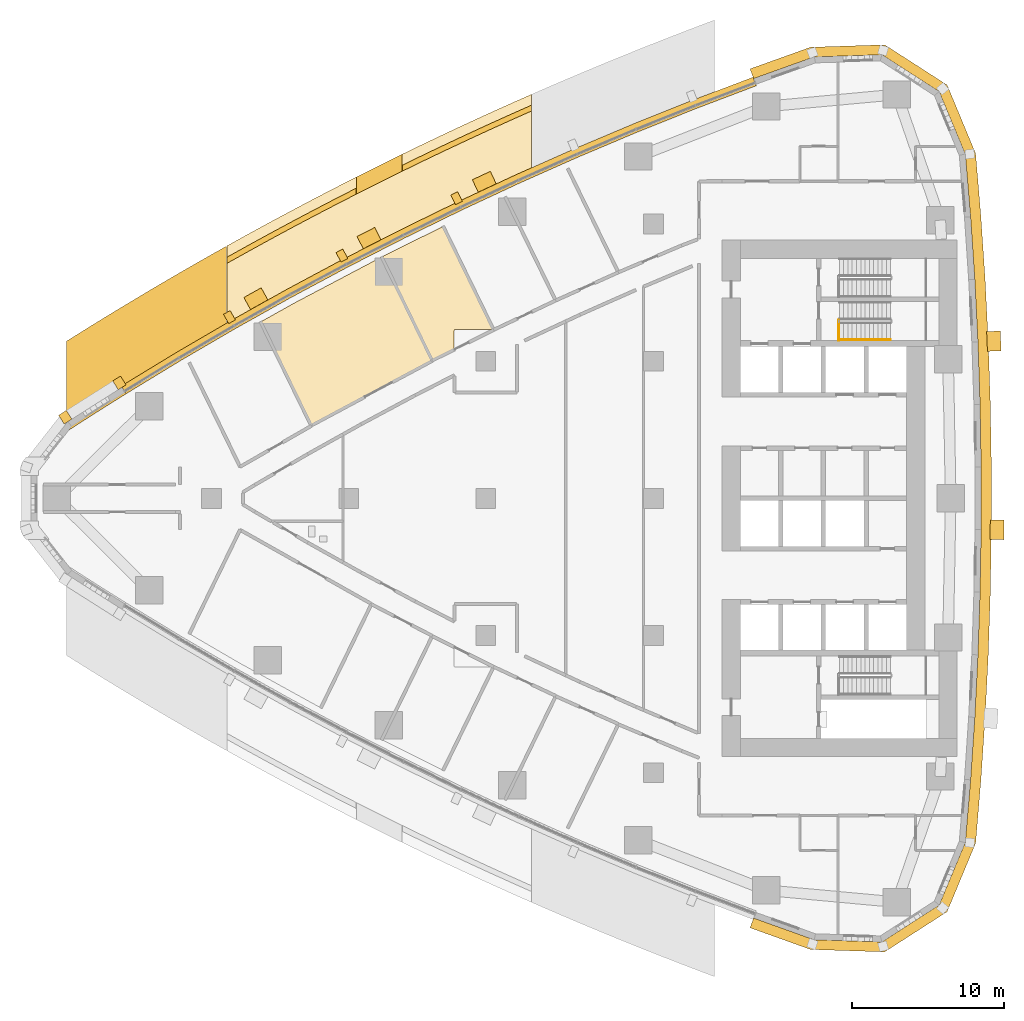
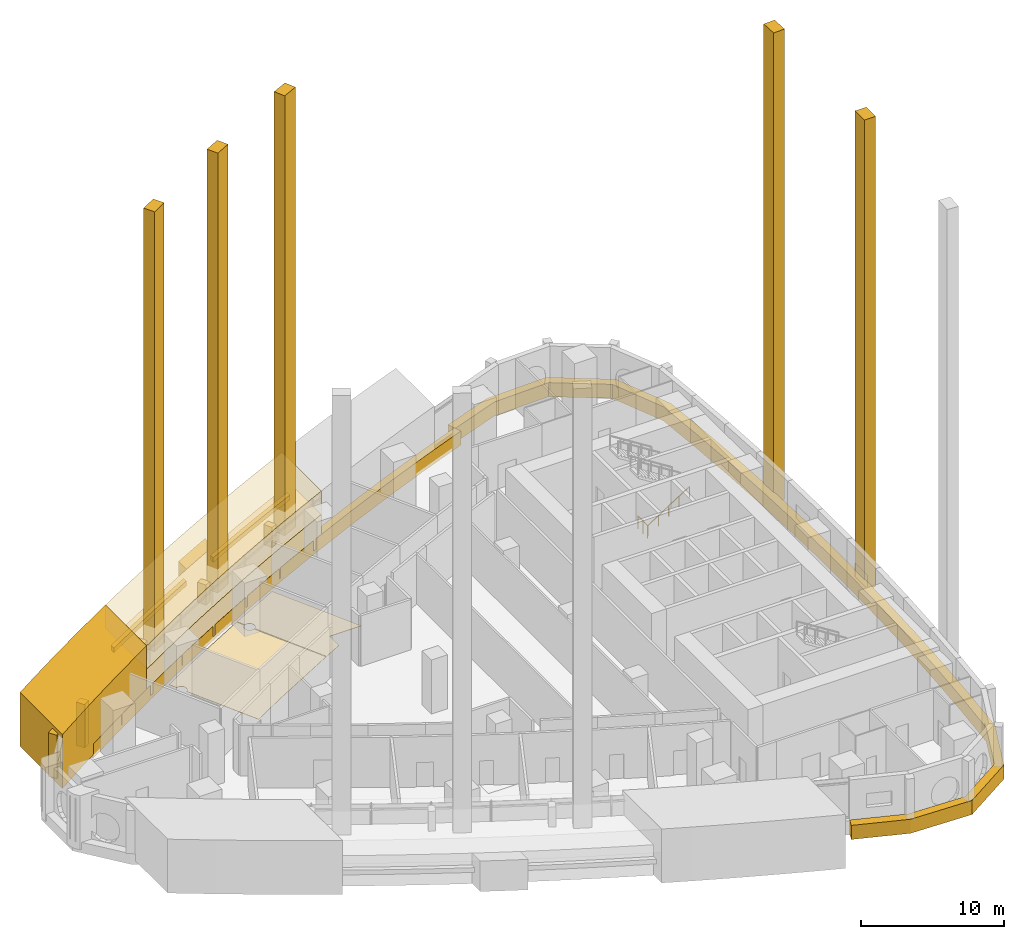
# One storey, part 17 of 20: 20 coverings, 2 railings.
"""IFC4 building model written with IfcOpenShell, lengths in metres."""

from ifc_helpers import new_model, si_unit, direction, frame, frame_2d, origin, origin_2d, place, context, subcontext, project, spatial, polyline, rectangle, circle, outline, extrude, material, layer, layer_set, type_object, element, save


model = new_model("IFC4")

# Units and contexts
model_context = context("Model", 3, precision=1e-05, world=origin(), true_north=direction((0.0, 1.0)))
body_context = subcontext(model_context, "Body", "Model", "MODEL_VIEW")
ifc_project = project(units=[si_unit("LENGTHUNIT", "METRE"), si_unit("AREAUNIT", "SQUARE_METRE"), si_unit("VOLUMEUNIT", "CUBIC_METRE"), si_unit("PLANEANGLEUNIT", "RADIAN"), si_unit("MASSUNIT", "GRAM", prefix="KILO")], contexts=[model_context])

# Site, building, storey
site_placement = place(None, origin())
site = spatial("IfcSite", under=ifc_project, at=site_placement, CompositionType="ELEMENT")
building_placement = place(site_placement, origin())
building = spatial("IfcBuilding", under=site, at=building_placement, Name="Ostrand Prow Hotel Tower", CompositionType="ELEMENT")
storey_placement = place(building_placement, frame((0.0, 0.0, 35.0)))
storey = spatial("IfcBuildingStorey", under=building, at=storey_placement, Name="L06", CompositionType="ELEMENT", Elevation=35.0)

# Coverings
ifc_material_1 = material(Name="Bronze anodised aluminium cladding", Category="aluminium")
ifc_layer_1 = layer(ifc_material_1, 0.60009765625)
ifc_layer_set_1 = layer_set([ifc_layer_1], Name="Bronze anodised aluminium cladding")
covering_type_1 = type_object("IfcCoveringType", Name="Bronze spandrel band 1200x600", PredefinedType="CLADDING", material=ifc_layer_set_1)
covering_1_placement = place(storey_placement, frame((0.0, 0.0, -0.300048828125)))
element("IfcCovering", 1, at=covering_1_placement, inside=storey, type_object=covering_type_1, Name="Spandrel band N1", PredefinedType="CLADDING", context=body_context, shape_type="SweptSolid", body=[
    extrude(outline(polyline([(51.5361328125, 27.6328125), (47.607666015625, 26.142578125), (43.70751953125, 24.580078125), (39.83642578125, 22.946044921875), (35.996337890625, 21.2412109375), (32.188232421875, 19.4658203125), (28.413330078125, 17.62060546875), (24.673095703125, 15.70654296875), (20.968994140625, 13.723876953125), (17.301513671875, 11.673095703125), (13.672607421875, 9.555419921875), (10.08349609375, 7.371337890625), (10.39990234375, 6.86181640625), (13.97998046875, 9.0400390625), (17.59912109375, 11.152099609375), (21.2568359375, 13.197509765625), (24.951416015625, 15.1748046875), (28.681884765625, 17.083984375), (32.44677734375, 18.92431640625), (36.244873046875, 20.695068359375), (40.074951171875, 22.3955078125), (43.935791015625, 24.025146484375), (47.82568359375, 25.58349609375), (51.743896484375, 27.070068359375), (51.5361328125, 27.6328125)])), origin(), (0.0, 0.0, 1.0), 1.199951171875),
])
covering_2_placement = place(storey_placement, frame((0.0, 0.0, -0.300048828125)))
element("IfcCovering", 2, at=covering_2_placement, inside=storey, type_object=covering_type_1, Name="Spandrel band back 1", PredefinedType="CLADDING", context=body_context, shape_type="SweptSolid", body=[
    extrude(outline(polyline([(51.335205078125, -28.177001953125), (55.300537109375, -29.5986328125), (60.16796875, -29.758056640625), (64.26318359375, -27.123046875), (66.13525390625, -22.627197265625), (66.48046875, -18.521728515625), (66.756591796875, -14.411376953125), (66.964111328125, -10.296630859375), (67.102294921875, -6.17919921875), (67.17138671875, -2.059814453125), (67.17138671875, 2.059814453125), (67.102294921875, 6.17919921875), (66.964111328125, 10.296630859375), (66.756591796875, 14.411376953125), (66.48046875, 18.521728515625), (66.13525390625, 22.627197265625), (64.26318359375, 27.123046875), (60.16796875, 29.758056640625), (55.300537109375, 29.5986328125), (51.335205078125, 28.177001953125), (51.57080078125, 27.5390625), (55.524169921875, 28.956298828125), (59.98681640625, 29.1025390625), (63.74169921875, 26.6865234375), (65.4580078125, 22.564453125), (65.802490234375, 18.470458984375), (66.077880859375, 14.371337890625), (66.28466796875, 10.26806640625), (66.422607421875, 6.162109375), (66.491455078125, 2.05419921875), (66.491455078125, -2.05419921875), (66.422607421875, -6.162109375), (66.28466796875, -10.26806640625), (66.077880859375, -14.371337890625), (65.802490234375, -18.470458984375), (65.4580078125, -22.564453125), (63.74169921875, -26.6865234375), (59.98681640625, -29.1025390625), (55.524169921875, -28.956298828125), (51.57080078125, -27.5390625), (51.335205078125, -28.177001953125)])), origin(), (0.0, 0.0, 1.0), 1.199951171875),
])
ifc_material_2 = material(Name="Limestone cladding", Category="masonry")
ifc_layer_2 = layer(ifc_material_2, 5.0)
ifc_layer_set_2 = layer_set([ifc_layer_2], Name="Limestone cladding")
covering_type_2 = type_object("IfcCoveringType", Name="Portal jamb pilaster limestone", PredefinedType="CLADDING", material=ifc_layer_set_2)
covering_3_placement = place(storey_placement, origin())
element("IfcCovering", 3, at=covering_3_placement, inside=storey, type_object=covering_type_2, Name="Portal jamb NA L06", PredefinedType="CLADDING", context=body_context, shape_type="SweptSolid", body=[
    extrude(outline(polyline([(6.5, 4.3837890625), (7.45458984375, 5.00048828125), (8.4091796875, 5.610595703125), (9.363525390625, 6.214111328125), (10.318115234375, 6.810791015625), (11.272705078125, 7.401123046875), (12.227294921875, 7.98486328125), (13.181884765625, 8.562255859375), (14.136474609375, 9.13330078125), (15.0908203125, 9.697998046875), (16.04541015625, 10.25634765625), (17.0, 10.80859375), (17.0, 16.556640625), (16.04541015625, 16.020263671875), (15.0908203125, 15.4775390625), (14.136474609375, 14.92919921875), (13.181884765625, 14.37451171875), (12.227294921875, 13.81396484375), (11.272705078125, 13.247314453125), (10.318115234375, 12.67431640625), (9.363525390625, 12.09521484375), (8.4091796875, 11.509521484375), (7.45458984375, 10.917724609375), (6.5, 10.319580078125), (6.5, 4.3837890625)])), origin(), (0.0, 0.0, 1.0), 4.60009765625),
])
ifc_material_3 = material(Name="Limestone cladding", Category="masonry")
ifc_layer_3 = layer(ifc_material_3, 1.0)
ifc_layer_set_3 = layer_set([ifc_layer_3], Name="Limestone cladding")
covering_type_3 = type_object("IfcCoveringType", Name="Portal keystone limestone", PredefinedType="CLADDING", material=ifc_layer_set_3)
covering_4_placement = place(storey_placement, origin())
element("IfcCovering", 4, at=covering_4_placement, inside=storey, type_object=covering_type_3, Name="Portal keystone N L06", PredefinedType="CLADDING", context=body_context, shape_type="SweptSolid", body=[
    extrude(outline(polyline([(27.0, 21.83251953125), (25.5, 21.080322265625), (25.5, 19.958740234375), (25.5712890625, 19.995361328125), (27.0, 20.71533203125), (28.4287109375, 21.4228515625), (28.5, 21.457763671875), (28.5, 22.5712890625), (27.0, 21.83251953125)])), origin(), (0.0, 0.0, 1.0), 2.60009765625),
])
ifc_material_4 = material(Name="Limestone cladding", Category="masonry")
ifc_layer_4 = layer(ifc_material_4, 0.35009765625)
ifc_layer_set_4 = layer_set([ifc_layer_4], Name="Limestone cladding")
covering_type_4 = type_object("IfcCoveringType", Name="Portal lintel course limestone 350 mm", PredefinedType="CLADDING", material=ifc_layer_set_4)
covering_5_placement = place(storey_placement, frame((0.0, 0.0, 1.199951171875)))
element("IfcCovering", 5, at=covering_5_placement, inside=storey, type_object=covering_type_4, Name="Portal lintel course N L06.1 1", PredefinedType="CLADDING", context=body_context, shape_type="SweptSolid", body=[
    extrude(outline(polyline([(19.857177734375, 17.388671875), (18.4287109375, 16.606689453125), (17.010009765625, 15.8173828125), (17.010009765625, 15.416015625), (18.4287109375, 16.206787109375), (19.857177734375, 16.990234375), (21.28564453125, 17.7607421875), (22.71435546875, 18.518310546875), (24.142822265625, 19.26318359375), (25.47998046875, 19.948486328125), (25.47998046875, 20.34130859375), (24.142822265625, 19.656982421875), (22.71435546875, 18.91357421875), (21.28564453125, 18.157470703125), (19.857177734375, 17.388671875)])), origin(), (0.0, 0.0, 1.0), 0.400146484375),
])
covering_6_placement = place(storey_placement, frame((0.0, 0.0, 1.199951171875)))
element("IfcCovering", 6, at=covering_6_placement, inside=storey, type_object=covering_type_4, Name="Portal lintel course N L06.1 2", PredefinedType="CLADDING", context=body_context, shape_type="SweptSolid", body=[
    extrude(outline(polyline([(29.857177734375, 22.5068359375), (28.52001953125, 21.857177734375), (28.52001953125, 21.46728515625), (29.857177734375, 22.118408203125), (31.28564453125, 22.801513671875), (32.71435546875, 23.472900390625), (34.142822265625, 24.132568359375), (35.5712890625, 24.780517578125), (36.989990234375, 25.412109375), (36.989990234375, 25.794921875), (35.5712890625, 25.1640625), (34.142822265625, 24.517333984375), (32.71435546875, 23.859130859375), (31.28564453125, 23.18896484375), (29.857177734375, 22.5068359375)])), origin(), (0.0, 0.0, 1.0), 0.400146484375),
])
ifc_material_5 = material(Name="Limestone cladding", Category="masonry")
ifc_layer_5 = layer(ifc_material_5, 4.0)
ifc_layer_set_5 = layer_set([ifc_layer_5], Name="Limestone cladding")
covering_type_5 = type_object("IfcCoveringType", Name="Portal lintel limestone", PredefinedType="CLADDING", material=ifc_layer_set_5)
covering_7_placement = place(storey_placement, origin())
element("IfcCovering", 7, at=covering_7_placement, inside=storey, type_object=covering_type_5, Name="Portal lintel N L06", PredefinedType="CLADDING", context=body_context, shape_type="SweptSolid", body=[
    extrude(outline(polyline([(18.4287109375, 16.206787109375), (17.010009765625, 15.416015625), (17.010009765625, 10.814453125), (18.4287109375, 11.623779296875), (19.857177734375, 12.42529296875), (21.28564453125, 13.213134765625), (22.71435546875, 13.98779296875), (24.142822265625, 14.74951171875), (25.5712890625, 15.498291015625), (27.0, 16.234130859375), (28.4287109375, 16.957275390625), (29.857177734375, 17.667724609375), (31.28564453125, 18.365966796875), (32.71435546875, 19.052001953125), (34.142822265625, 19.7255859375), (35.5712890625, 20.38720703125), (36.990966796875, 21.03271484375), (36.99072265625, 21.033203125), (36.990478515625, 21.033935546875), (36.990234375, 21.034912109375), (36.989990234375, 21.035888671875), (36.989990234375, 21.037109375), (36.989990234375, 25.412109375), (35.5712890625, 24.780517578125), (34.142822265625, 24.132568359375), (32.71435546875, 23.472900390625), (31.28564453125, 22.801513671875), (29.857177734375, 22.118408203125), (28.4287109375, 21.4228515625), (27.0, 20.71533203125), (25.5712890625, 19.995361328125), (24.142822265625, 19.26318359375), (22.71435546875, 18.518310546875), (21.28564453125, 17.7607421875), (19.857177734375, 16.990234375), (18.4287109375, 16.206787109375)])), origin(), (0.0, 0.0, 1.0), 2.60009765625),
])
covering_8_placement = place(storey_placement, frame((0.0, 0.0, 2.60009765625)))
element("IfcCovering", 8, at=covering_8_placement, inside=storey, type_object=covering_type_5, Name="Portal cornice N L06", PredefinedType="CLADDING", context=body_context, shape_type="SweptSolid", body=[
    extrude(outline(polyline([(18.22412109375, 17.236328125), (17.009033203125, 16.560791015625), (17.00927734375, 16.560546875), (17.009521484375, 16.559814453125), (17.009765625, 16.55859375), (17.010009765625, 16.5576171875), (17.010009765625, 16.556640625), (17.010009765625, 10.8134765625), (18.22412109375, 11.5078125), (19.689697265625, 12.331787109375), (21.1552734375, 13.1416015625), (22.62060546875, 13.9375), (24.086181640625, 14.719482421875), (25.5517578125, 15.488037109375), (27.01708984375, 16.242919921875), (28.48291015625, 16.984375), (29.9482421875, 17.712646484375), (31.413818359375, 18.427978515625), (32.87939453125, 19.13037109375), (34.3447265625, 19.81982421875), (35.810302734375, 20.49658203125), (36.9912109375, 21.031982421875), (36.9912109375, 21.0322265625), (36.99072265625, 21.033203125), (36.990478515625, 21.033935546875), (36.990234375, 21.034912109375), (36.989990234375, 21.035888671875), (36.989990234375, 21.037109375), (36.989990234375, 26.50390625), (35.810302734375, 25.98291015625), (34.3447265625, 25.323486328125), (32.87939453125, 24.652099609375), (31.413818359375, 23.96826171875), (29.9482421875, 23.271728515625), (28.48291015625, 22.562744140625), (27.01708984375, 21.841064453125), (25.5517578125, 21.106689453125), (24.086181640625, 20.359130859375), (22.62060546875, 19.598388671875), (21.1552734375, 18.824462890625), (19.689697265625, 18.037109375), (18.22412109375, 17.236328125)])), origin(), (0.0, 0.0, 1.0), 2.0),
])
ifc_material_6 = material(Name="Limestone cladding", Category="masonry")
ifc_layer_6 = layer(ifc_material_6, 1.300048828125)
ifc_layer_set_6 = layer_set([ifc_layer_6], Name="Limestone cladding")
covering_type_6 = type_object("IfcCoveringType", Name="Precast stone fin 1300x1500", PredefinedType="CLADDING", material=ifc_layer_set_6)
covering_9_placement = place(storey_placement, frame((34.088134765625, 20.3623046875, 0.0), z_axis=(0.0, 0.0, 1.0), x_axis=(-0.422410141551, 0.906404805986, 0.0)))
element("IfcCovering", 9, at=covering_9_placement, inside=storey, type_object=covering_type_6, Name="Stone fin N zone 1 5", PredefinedType="CLADDING", context=body_context, shape_type="SweptSolid", body=[
    extrude(rectangle(XDim=0.89990234375, YDim=1.300048828125, at=frame_2d((0.449951171875, 0.0))), origin(), (0.0, 0.0, 1.0), 40.10009765625),
])
for number, where, z_axis, x_axis, name in (
    (10, (26.538818359375, 16.672119140625, 0.0), (0.0, 0.0, 1.0), (-0.455440806786, 0.890266067821, 0.0), "Stone fin N zone 1 7"),
    (11, (19.130615234375, 12.706787109375, 0.0), (0.0, 0.0, 1.0), (-0.487967253808, 0.872861935939, 0.0), "Stone fin N zone 1 9"),
):
    element("IfcCovering", number, at=place(storey_placement, frame(where, z_axis=z_axis, x_axis=x_axis)), inside=storey, type_object=covering_type_6, Name=name, PredefinedType="CLADDING", context=body_context, shape_type="SweptSolid", body=[
        extrude(rectangle(XDim=0.900146484375, YDim=1.300048828125, at=frame_2d((0.4501953125, 0.0))), origin(), (0.0, 0.0, 1.0), 40.10009765625),
    ])
for number, where, z_axis, x_axis, name in (
    (12, (67.09130859375, -2.05908203125, 0.0), (0.0, 0.0, 1.0), (0.99996231793, -0.008681170422, 0.0), "Stone fin back zone 1 10"),
    (13, (66.884033203125, 10.293212890625, 0.0), (0.0, 0.0, 1.0), (0.999115590245, 0.042048035973, 0.0), "Stone fin back zone 1 13"),
):
    element("IfcCovering", number, at=place(storey_placement, frame(where, z_axis=z_axis, x_axis=x_axis)), inside=storey, type_object=covering_type_6, Name=name, PredefinedType="CLADDING", context=body_context, shape_type="SweptSolid", body=[
        extrude(rectangle(XDim=0.89990234375, YDim=1.300048828125, at=frame_2d((0.449951171875, 0.0))), origin(), (0.0, 0.0, 1.0), 40.10009765625),
    ])
ifc_material_7 = material(Name="Limestone cladding", Category="masonry")
ifc_layer_7 = layer(ifc_material_7, 0.5)
ifc_layer_set_7 = layer_set([ifc_layer_7], Name="Limestone cladding")
covering_type_7 = type_object("IfcCoveringType", Name="Precast stone fin 500x600", PredefinedType="CLADDING", material=ifc_layer_set_7)
covering_10_placement = place(storey_placement, frame((32.231201171875, 19.37548828125, 0.89990234375), z_axis=(0.0, 0.0, 1.0), x_axis=(-0.430677943973, 0.902505683403, 0.0)))
element("IfcCovering", 14, at=covering_10_placement, inside=storey, type_object=covering_type_7, Name="Stone fin N 6", PredefinedType="CLADDING", context=body_context, shape_type="SweptSolid", body=[
    extrude(rectangle(XDim=0.7001953125, YDim=0.5, at=frame_2d((0.35009765625, 0.0))), origin(), (0.0, 0.0, 1.0), 3.400146484375),
])
for number, where, z_axis, x_axis, name in (
    (15, (24.719482421875, 15.617919921875, 0.89990234375), (0.0, 0.0, 1.0), (-0.463602867837, 0.886043103316, 0.0), "Stone fin N 8"),
    (16, (17.351318359375, 11.58642578125, 0.89990234375), (0.0, 0.0, 1.0), (-0.496326736207, 0.868135802122, 0.0), "Stone fin N 10"),
):
    element("IfcCovering", number, at=place(storey_placement, frame(where, z_axis=z_axis, x_axis=x_axis)), inside=storey, type_object=covering_type_7, Name=name, PredefinedType="CLADDING", context=body_context, shape_type="SweptSolid", body=[
        extrude(rectangle(XDim=0.699951171875, YDim=0.5, at=frame_2d((0.35009765625, 0.0))), origin(), (0.0, 0.0, 1.0), 3.400146484375),
    ])
ifc_material_8 = material(Name="Limestone cladding", Category="masonry")
ifc_layer_8 = layer(ifc_material_8, 0.60009765625)
ifc_layer_set_8 = layer_set([ifc_layer_8], Name="Limestone cladding")
covering_type_8 = type_object("IfcCoveringType", Name="Precast stone prow rib 600x600", PredefinedType="CLADDING", material=ifc_layer_set_8)
for number, where, z_axis, x_axis, name in (
    (17, (10.13623046875, 7.286376953125, 0.60009765625), (0.0, 0.0, 1.0), (-0.527738148304, 0.849407114889, 0.0), "Stone prow rib 1"),
    (18, (6.589111328125, 5.03759765625, 0.60009765625), (0.0, 0.0, 1.0), (-0.543295944087, 0.839541253983, 0.0), "Stone prow rib 2"),
):
    element("IfcCovering", number, at=place(storey_placement, frame(where, z_axis=z_axis, x_axis=x_axis)), inside=storey, type_object=covering_type_8, Name=name, PredefinedType="CLADDING", context=body_context, shape_type="SweptSolid", body=[
        extrude(rectangle(XDim=0.679931640625, YDim=0.60009765625, at=frame_2d((0.33984375, 0.0))), origin(), (0.0, 0.0, 1.0), 3.699951171875),
    ])

# Railings
ifc_material_9 = material(Name="Painted steel", Category="steel")
railing_type_1 = type_object("IfcRailingType", Name="Stair guard 1100", PredefinedType="GUARDRAIL", material=ifc_material_9)
railing_1_placement = place(storey_placement, frame((57.14990234375, 10.35009765625, 0.0)))
element("IfcRailing", 19, at=railing_1_placement, inside=storey, type_object=railing_type_1, Name="L06 ST1B top well guard 1", PredefinedType="GUARDRAIL", context=body_context, shape_type="SweptSolid", body=[
    extrude(circle(Radius=0.02392578125, at=origin_2d()), frame((0.0, 0.0, 1.076171875), z_axis=(0.0, 1.0, 0.0), x_axis=(-1.0, 0.0, 0.0)), (0.0, 0.0, 1.0), 1.349853515625),
    extrude(circle(Radius=0.02099609375, at=origin_2d()), origin(), (0.0, 0.0, 1.0), 1.052001953125),
    extrude(circle(Radius=0.02099609375, at=origin_2d()), frame((0.0, 0.6748046875, 0.0)), (0.0, 0.0, 1.0), 1.052001953125),
    extrude(circle(Radius=0.02099609375, at=origin_2d()), frame((0.0, 1.349853515625, 0.0)), (0.0, 0.0, 1.0), 1.052001953125),
])
ifc_material_10 = material(Name="Stainless steel", Category="steel")
railing_type_2 = type_object("IfcRailingType", Name="Stair handrail 900", PredefinedType="HANDRAIL", material=ifc_material_10)
railing_2_placement = place(storey_placement, frame((57.199951171875, 10.39990234375, 0.177001953125)))
element("IfcRailing", 20, at=railing_2_placement, inside=storey, type_object=railing_type_2, Name="L06 ST1C stair handrail 1", PredefinedType="HANDRAIL", context=body_context, shape_type="SweptSolid", body=[
    extrude(circle(Radius=0.02392578125, at=origin_2d()), frame((0.0, 0.0, 0.8759765625), z_axis=(0.845389635667, 0.0, 0.534150132366), x_axis=(0.0, 1.0, 0.0)), (0.0, 0.0, 1.0), 3.974609375),
    extrude(circle(Radius=0.02099609375, at=origin_2d()), origin(), (0.0, 0.0, 1.0), 0.851806640625),
    extrude(circle(Radius=0.02099609375, at=origin_2d()), frame((0.840087890625, 0.0, 0.53076171875)), (0.0, 0.0, 1.0), 0.851806640625),
    extrude(circle(Radius=0.02099609375, at=origin_2d()), frame((1.68017578125, 0.0, 1.0615234375)), (0.0, 0.0, 1.0), 0.851806640625),
    extrude(circle(Radius=0.02099609375, at=origin_2d()), frame((2.52001953125, 0.0, 1.59228515625)), (0.0, 0.0, 1.0), 0.851806640625),
    extrude(circle(Radius=0.02099609375, at=origin_2d()), frame((3.360107421875, 0.0, 2.123046875)), (0.0, 0.0, 1.0), 0.851806640625),
])

# Coverings
ifc_material_11 = material(Name="Polished limestone", Category="masonry")
ifc_layer_9 = layer(ifc_material_11, 0.030029296875)
ifc_layer_set_9 = layer_set([ifc_layer_9], Name="Polished limestone")
covering_type_9 = type_object("IfcCoveringType", Name="Stone floor finish 30 mm", PredefinedType="FLOORING", material=ifc_layer_set_9)
covering_11_placement = place(storey_placement, origin())
element("IfcCovering", 21, at=covering_11_placement, inside=storey, type_object=covering_type_9, Name="Floor finish Restaurant", PredefinedType="FLOORING", context=body_context, shape_type="SweptSolid", body=[
    extrude(outline(polyline([(27.148681640625, 15.827392578125), (21.45849609375, 12.828857421875), (19.244873046875, 11.591064453125), (19.54052734375, 10.984619140625), (19.576904296875, 10.99755859375), (19.614990234375, 11.007080078125), (19.65380859375, 11.0126953125), (19.69287109375, 11.0146484375), (19.732177734375, 11.0126953125), (19.77099609375, 11.007080078125), (19.80908203125, 10.99755859375), (19.845947265625, 10.984375), (19.881591796875, 10.967529296875), (19.9150390625, 10.947265625), (19.94677734375, 10.923828125), (19.9755859375, 10.8974609375), (20.002197265625, 10.868408203125), (20.025390625, 10.8369140625), (20.045654296875, 10.80322265625), (20.0625, 10.767822265625), (20.07568359375, 10.730712890625), (20.085205078125, 10.692626953125), (20.091064453125, 10.65380859375), (20.093017578125, 10.61474609375), (20.091064453125, 10.575439453125), (20.085205078125, 10.53662109375), (20.07568359375, 10.49853515625), (20.0625, 10.461669921875), (20.045654296875, 10.426025390625), (20.025390625, 10.392578125), (20.002197265625, 10.36083984375), (19.9755859375, 10.331787109375), (19.94677734375, 10.305419921875), (19.9150390625, 10.281982421875), (19.89013671875, 10.26708984375), (22.560546875, 4.789306640625), (25.085205078125, 6.200927734375), (30.459716796875, 9.03515625), (27.79248046875, 14.506591796875), (27.78857421875, 14.504638671875), (27.75146484375, 14.491455078125), (27.71337890625, 14.48193359375), (27.674560546875, 14.476318359375), (27.635498046875, 14.474365234375), (27.59619140625, 14.476318359375), (27.557373046875, 14.48193359375), (27.519287109375, 14.491455078125), (27.482421875, 14.504638671875), (27.44677734375, 14.521484375), (27.4130859375, 14.541748046875), (27.381591796875, 14.565185546875), (27.3525390625, 14.591552734375), (27.326171875, 14.62060546875), (27.302734375, 14.652099609375), (27.28271484375, 14.685791015625), (27.265869140625, 14.72119140625), (27.252685546875, 14.75830078125), (27.2431640625, 14.79638671875), (27.2373046875, 14.835205078125), (27.2353515625, 14.874267578125), (27.2373046875, 14.91357421875), (27.2431640625, 14.952392578125), (27.252685546875, 14.990478515625), (27.265869140625, 15.02734375), (27.28271484375, 15.06298828125), (27.302734375, 15.096435546875), (27.326171875, 15.128173828125), (27.3525390625, 15.156982421875), (27.381591796875, 15.18359375), (27.4130859375, 15.206787109375), (27.4423828125, 15.224365234375), (27.148681640625, 15.827392578125)])), origin(), (0.0, 0.0, 1.0), 0.030029296875),
])
covering_12_placement = place(storey_placement, origin())
element("IfcCovering", 22, at=covering_12_placement, inside=storey, type_object=covering_type_9, Name="Floor finish Bar", PredefinedType="FLOORING", context=body_context, shape_type="SweptSolid", body=[
    extrude(outline(polyline([(31.927490234375, 11.074462890625), (34.478515625, 11.074951171875), (31.181396484375, 17.83837890625), (27.188720703125, 15.84765625), (27.48291015625, 15.244140625), (27.519287109375, 15.257080078125), (27.557373046875, 15.2666015625), (27.59619140625, 15.2724609375), (27.635498046875, 15.2744140625), (27.674560546875, 15.2724609375), (27.71337890625, 15.2666015625), (27.75146484375, 15.257080078125), (27.78857421875, 15.243896484375), (27.823974609375, 15.22705078125), (27.857666015625, 15.206787109375), (27.88916015625, 15.18359375), (27.918212890625, 15.156982421875), (27.944580078125, 15.128173828125), (27.968017578125, 15.096435546875), (27.98828125, 15.06298828125), (28.0048828125, 15.02734375), (28.018310546875, 14.990478515625), (28.027587890625, 14.952392578125), (28.033447265625, 14.91357421875), (28.035400390625, 14.874267578125), (28.033447265625, 14.835205078125), (28.027587890625, 14.79638671875), (28.018310546875, 14.75830078125), (28.0048828125, 14.72119140625), (27.98828125, 14.685791015625), (27.968017578125, 14.652099609375), (27.944580078125, 14.62060546875), (27.918212890625, 14.591552734375), (27.88916015625, 14.565185546875), (27.857666015625, 14.541748046875), (27.832763671875, 14.52685546875), (30.499755859375, 9.055908203125), (31.925048828125, 9.78515625), (31.927490234375, 11.074462890625)])), origin(), (0.0, 0.0, 1.0), 0.030029296875),
])

save(model, "model.ifc")
